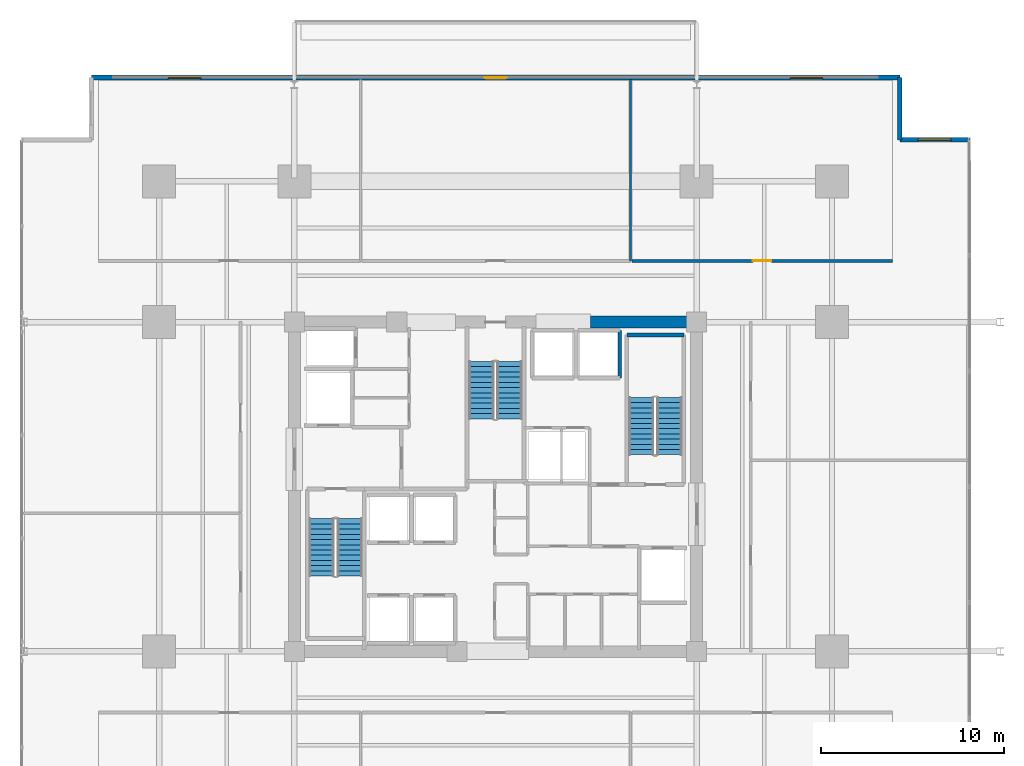
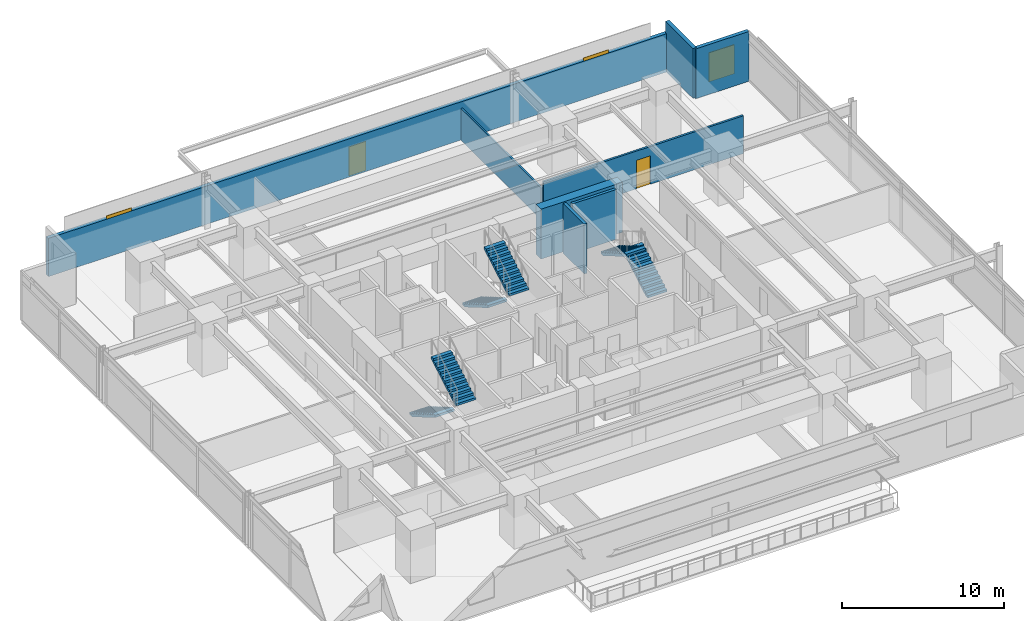
# One storey, part 18 of 23: 8 walls, 6 stair flights, 3 windows, 2 doors, 5 openings, 3 elements without a shape of their own.
"""IFC4 building model written with IfcOpenShell, lengths in metres."""

from ifc_helpers import new_model, si_unit, direction, frame, frame_2d, origin, place, context, subcontext, project, spatial, polyline, rectangle, outline, extrude, material, layer, layer_set, type_object, element, fill, aggregate, save


model = new_model("IFC4")

# Units and contexts
model_context = context("Model", 3, precision=1e-05, world=origin(), true_north=direction((0.0, 1.0)))
body_context = subcontext(model_context, "Body", "Model", "MODEL_VIEW")
ifc_project = project(units=[si_unit("LENGTHUNIT", "METRE"), si_unit("AREAUNIT", "SQUARE_METRE"), si_unit("VOLUMEUNIT", "CUBIC_METRE"), si_unit("PLANEANGLEUNIT", "RADIAN"), si_unit("MASSUNIT", "GRAM", prefix="KILO")], contexts=[model_context])

# Site, building, storey
site_placement = place(None, origin())
site = spatial("IfcSite", under=ifc_project, at=site_placement, CompositionType="ELEMENT")
building_placement = place(site_placement, origin())
building = spatial("IfcBuilding", under=site, at=building_placement, Name="Kovane Verandah Tower", CompositionType="ELEMENT")
storey_placement = place(building_placement, frame((0.0, 0.0, 63.60009765625)))
storey = spatial("IfcBuildingStorey", under=building, at=storey_placement, Name="L14", CompositionType="ELEMENT", Elevation=63.60009765625)

# Wall, opening, door
ifc_material_1 = material(Name="Fire-Rated Gypsum Stud Partition", Category="gypsum")
ifc_layer_1 = layer(ifc_material_1, 0.14990234375)
ifc_layer_set_1 = layer_set([ifc_layer_1], Name="Fire-Rated Gypsum Stud Partition")
wall_type_1 = type_object("IfcWallType", Name="WL-COR-150", PredefinedType="PARTITIONING", material=ifc_layer_set_1)
wall_1_placement = place(storey_placement, frame((47.450439453125, 39.85009765625, 0.0), z_axis=(0.0, 0.0, 1.0), x_axis=(1.0, 0.0, 0.0)))
wall_1 = element("IfcWall", 1, at=wall_1_placement, inside=storey, type_object=wall_type_1, Name="L14 Breakout Pantry N3 Corridor Partition", PredefinedType="PARTITIONING", context=body_context, shape_type="SweptSolid", body=[
    extrude(rectangle(XDim=14.256591796875, YDim=0.14990234375, at=frame_2d((7.12841796875, 0.0))), origin(), (0.0, 0.0, 1.0), 2.849853515625),
])
opening_1_placement = place(wall_1_placement, frame((6.62841796875, 0.0, 0.0)))
opening_1 = element("IfcOpeningElement", 2, at=opening_1_placement, cuts=wall_1, Name="Opening DR-L14-023", PredefinedType="OPENING", context=body_context, shape_type="SweptSolid", body=[
    extrude(rectangle(XDim=1.0, YDim=2.14990234375, at=frame_2d((0.5, 1.074951171875))), frame((0.0, 0.074951171875, 0.0), z_axis=(0.0, -1.0, 0.0), x_axis=(1.0, 0.0, 0.0)), (0.0, 0.0, 1.0), 0.14990234375),
])
ifc_material_2 = material(Name="FSC Spotted-Gum Timber Fire-Rated Office Door", Category="wood")
door_type_1 = type_object("IfcDoorType", Name="DR-OFF-1000", OperationType="SINGLE_SWING_LEFT", PredefinedType="DOOR", material=ifc_material_2)
door_1_placement = place(opening_1_placement, origin())
door_1 = element("IfcDoor", 3, at=door_1_placement, inside=storey, type_object=door_type_1, Name="L14 Breakout Pantry N3 Entrance Door", OperationType="SINGLE_SWING_LEFT", OverallHeight=2.14990234375, OverallWidth=1.0, PredefinedType="DOOR", context=body_context, shape_type="SweptSolid", body=[
    extrude(rectangle(XDim=1.0, YDim=2.14990234375, at=frame_2d((0.5, 1.074951171875))), frame((0.0, 0.02490234375, 0.0), z_axis=(0.0, -1.0, 0.0), x_axis=(1.0, 0.0, 0.0)), (0.0, 0.0, 1.0), 0.050048828125),
])
fill(opening_1, door_1)

# Walls
ifc_material_3 = material(Name="Concrete C80/95", Category="concrete")
ifc_layer_2 = layer(ifc_material_3, 0.64990234375)
ifc_layer_set_2 = layer_set([ifc_layer_2], Name="Concrete C80/95")
wall_type_2 = type_object("IfcWallType", Name="WL-CORE-650", PredefinedType="SHEAR", material=ifc_layer_set_2)
wall_2_placement = place(storey_placement, frame((45.199951171875, 36.5, 0.0), z_axis=(0.0, 0.0, 1.0), x_axis=(1.0, 0.0, 0.0)))
element("IfcWall", 4, at=wall_2_placement, inside=storey, type_object=wall_type_2, Name="L14 Core Shear Wall CN-3", PredefinedType="SHEAR", context=body_context, shape_type="SweptSolid", body=[
    extrude(rectangle(XDim=5.800048828125, YDim=0.64990234375, at=frame_2d((2.89990234375, 0.0))), origin(), (0.0, 0.0, 1.0), 3.760009765625),
])
ifc_material_4 = material(Name="Concrete C45/55 Lift Shaft Wall", Category="concrete")
ifc_layer_3 = layer(ifc_material_4, 0.199951171875)
ifc_layer_set_3 = layer_set([ifc_layer_3], Name="Concrete C45/55 Lift Shaft Wall")
wall_type_3 = type_object("IfcWallType", Name="WL-LIFT-200", PredefinedType="SOLIDWALL", material=ifc_layer_set_3)
wall_3_placement = place(storey_placement, frame((46.800048828125, 33.449951171875, 0.0), z_axis=(0.0, 0.0, 1.0), x_axis=(0.0, 1.0, 0.0)))
element("IfcWall", 5, at=wall_3_placement, inside=storey, type_object=wall_type_3, Name="L14 Lift OL-01 E Shaft Wall", PredefinedType="SOLIDWALL", context=body_context, shape_type="SweptSolid", body=[
    extrude(rectangle(XDim=2.60009765625, YDim=0.199951171875, at=frame_2d((1.300048828125, 0.0))), origin(), (0.0, 0.0, 1.0), 3.760009765625),
])
ifc_material_5 = material(Name="Acoustic Fire-Rated Gypsum Partition", Category="gypsum")
ifc_layer_4 = layer(ifc_material_5, 0.1201171875)
ifc_layer_set_4 = layer_set([ifc_layer_4], Name="Acoustic Fire-Rated Gypsum Partition")
wall_type_4 = type_object("IfcWallType", Name="WL-PART-120", PredefinedType="PARTITIONING", material=ifc_layer_set_4)
wall_4_placement = place(storey_placement, frame((47.38037109375, 39.85009765625, 0.0), z_axis=(0.0, 0.0, 1.0), x_axis=(0.0, 1.0, 0.0)))
element("IfcWall", 6, at=wall_4_placement, inside=storey, type_object=wall_type_4, Name="L14 Focus Studio N2 Dividing Partition", PredefinedType="PARTITIONING", context=body_context, shape_type="SweptSolid", body=[
    extrude(rectangle(XDim=9.9248046875, YDim=0.1201171875, at=frame_2d((4.96240234375, 0.0))), origin(), (0.0, 0.0, 1.0), 2.389892578125),
])
ifc_material_6 = material(Name="Concrete C45/55", Category="concrete")
ifc_layer_5 = layer(ifc_material_6, 0.199951171875)
ifc_layer_set_5 = layer_set([ifc_layer_5], Name="Concrete C45/55")
wall_type_5 = type_object("IfcWallType", Name="WL-SHAFT-200", PredefinedType="SOLIDWALL", material=ifc_layer_set_5)
wall_5_placement = place(storey_placement, frame((47.179931640625, 35.800048828125, 0.0), z_axis=(0.0, 0.0, 1.0), x_axis=(1.0, 0.0, 0.0)))
element("IfcWall", 7, at=wall_5_placement, inside=storey, type_object=wall_type_5, Name="W-L14-ST02-N", PredefinedType="SOLIDWALL", context=body_context, shape_type="SweptSolid", body=[
    extrude(rectangle(XDim=3.1201171875, YDim=0.199951171875, at=frame_2d((1.56005859375, 0.0))), origin(), (0.0, 0.0, 1.0), 3.760009765625),
])

# Wall, openings, door, windows
ifc_material_7 = material(Name="Concrete C45/55 Insulated Spandrel Wall", Category="concrete")
ifc_layer_6 = layer(ifc_material_7, 0.260009765625)
ifc_layer_set_6 = layer_set([ifc_layer_6], Name="Concrete C45/55 Insulated Spandrel Wall")
wall_type_6 = type_object("IfcWallType", Name="WL-SPANDREL-260", PredefinedType="PARAPET", material=ifc_layer_set_6)
wall_6_placement = place(storey_placement, frame((62.107177734375, 49.875, 0.0), z_axis=(0.0, 0.0, 1.0), x_axis=(-1.0, 0.0, 0.0)))
wall_6 = element("IfcWall", 8, at=wall_6_placement, inside=storey, type_object=wall_type_6, Name="L14 N Verandah Access Facade Wall", PredefinedType="PARAPET", context=body_context, shape_type="SweptSolid", body=[
    extrude(rectangle(XDim=44.21435546875, YDim=0.260009765625, at=frame_2d((22.107177734375, 0.0))), origin(), (0.0, 0.0, 1.0), 2.88916015625),
])
opening_2_placement = place(wall_6_placement, frame((4.199951171875, 0.0, 0.85009765625)))
opening_2 = element("IfcOpeningElement", 9, at=opening_2_placement, cuts=wall_6, Name="Opening W-03", PredefinedType="OPENING", context=body_context, shape_type="SweptSolid", body=[
    extrude(rectangle(XDim=1.800048828125, YDim=2.199951171875, at=frame_2d((0.89990234375, 1.10009765625))), frame((0.0, 0.1298828125, 0.0), z_axis=(0.0, -1.0, 0.0), x_axis=(1.0, 0.0, 0.0)), (0.0, 0.0, 1.0), 0.260009765625),
])
opening_3_placement = place(wall_6_placement, frame((21.507080078125, 0.0, 0.0)))
opening_3 = element("IfcOpeningElement", 10, at=opening_3_placement, cuts=wall_6, Name="Opening DR-L14-001", PredefinedType="OPENING", context=body_context, shape_type="SweptSolid", body=[
    extrude(rectangle(XDim=1.199951171875, YDim=2.199951171875, at=frame_2d((0.60009765625, 1.10009765625))), frame((0.0, 0.1298828125, 0.0), z_axis=(0.0, -1.0, 0.0), x_axis=(1.0, 0.0, 0.0)), (0.0, 0.0, 1.0), 0.260009765625),
])
opening_4_placement = place(wall_6_placement, frame((38.214111328125, 0.0, 0.85009765625)))
opening_4 = element("IfcOpeningElement", 11, at=opening_4_placement, cuts=wall_6, Name="Opening W-03", PredefinedType="OPENING", context=body_context, shape_type="SweptSolid", body=[
    extrude(rectangle(XDim=1.800048828125, YDim=2.199951171875, at=frame_2d((0.89990234375, 1.10009765625))), frame((0.0, 0.1298828125, 0.0), z_axis=(0.0, -1.0, 0.0), x_axis=(1.0, 0.0, 0.0)), (0.0, 0.0, 1.0), 0.260009765625),
])
ifc_material_8 = material(Name="Cyclone-Rated Glazed Balcony Leaf Door", Category="aluminium")
door_type_2 = type_object("IfcDoorType", Name="DR-BAL-1200x2200", OperationType="SINGLE_SWING_LEFT", PredefinedType="DOOR", material=ifc_material_8)
door_2_placement = place(opening_3_placement, origin())
door_2 = element("IfcDoor", 12, at=door_2_placement, inside=storey, type_object=door_type_2, Name="L14 N Planted Balcony Access Door", OperationType="SINGLE_SWING_LEFT", OverallHeight=2.199951171875, OverallWidth=1.199951171875, PredefinedType="DOOR", context=body_context, shape_type="SweptSolid", body=[
    extrude(rectangle(XDim=1.199951171875, YDim=2.199951171875, at=frame_2d((0.60009765625, 1.10009765625))), frame((0.0, 0.02490234375, 0.0), z_axis=(0.0, -1.0, 0.0), x_axis=(1.0, 0.0, 0.0)), (0.0, 0.0, 1.0), 0.050048828125),
])
fill(opening_3, door_2)
ifc_material_9 = material(Name="Clear Low-E Laminated Double Glazing in Anodised Frame", Category="glass")
window_type = type_object("IfcWindowType", Name="WN-NOTCH-1800x2200", PartitioningType="SINGLE_PANEL", PredefinedType="WINDOW", material=ifc_material_9)
window_1_placement = place(opening_2_placement, origin())
window_1 = element("IfcWindow", 13, at=window_1_placement, inside=storey, type_object=window_type, Name="L14 N Verandah View Window 1", OverallHeight=2.199951171875, OverallWidth=1.800048828125, PartitioningType="SINGLE_PANEL", PredefinedType="WINDOW", context=body_context, shape_type="SweptSolid", body=[
    extrude(rectangle(XDim=1.800048828125, YDim=2.199951171875, at=frame_2d((0.89990234375, 1.10009765625))), frame((0.0, 0.030029296875, 0.0), z_axis=(0.0, -1.0, 0.0), x_axis=(1.0, 0.0, 0.0)), (0.0, 0.0, 1.0), 0.06005859375),
])
fill(opening_2, window_1)
window_2_placement = place(opening_4_placement, origin())
window_2 = element("IfcWindow", 14, at=window_2_placement, inside=storey, type_object=window_type, Name="L14 N Verandah View Window 2", OverallHeight=2.199951171875, OverallWidth=1.800048828125, PartitioningType="SINGLE_PANEL", PredefinedType="WINDOW", context=body_context, shape_type="SweptSolid", body=[
    extrude(rectangle(XDim=1.800048828125, YDim=2.199951171875, at=frame_2d((0.89990234375, 1.10009765625))), frame((0.0, 0.030029296875, 0.0), z_axis=(0.0, -1.0, 0.0), x_axis=(1.0, 0.0, 0.0)), (0.0, 0.0, 1.0), 0.06005859375),
])
fill(opening_4, window_2)

# Wall, opening, window
wall_7_placement = place(storey_placement, frame((65.906982421875, 46.47509765625, 0.0), z_axis=(0.0, 0.0, 1.0), x_axis=(-1.0, 0.0, 0.0)))
wall_7 = element("IfcWall", 15, at=wall_7_placement, inside=storey, type_object=wall_type_6, Name="L14 NE Notch Cheek Wall 1", PredefinedType="PARAPET", context=body_context, shape_type="SweptSolid", body=[
    extrude(rectangle(XDim=3.7998046875, YDim=0.260009765625, at=frame_2d((1.89990234375, 0.0))), origin(), (0.0, 0.0, 1.0), 3.760009765625),
])
opening_5_placement = place(wall_7_placement, frame((1.0, 0.0, 0.85009765625)))
opening_5 = element("IfcOpeningElement", 16, at=opening_5_placement, cuts=wall_7, Name="Opening W-03", PredefinedType="OPENING", context=body_context, shape_type="SweptSolid", body=[
    extrude(rectangle(XDim=1.800048828125, YDim=2.199951171875, at=frame_2d((0.89990234375, 1.10009765625))), frame((0.0, 0.1298828125, 0.0), z_axis=(0.0, -1.0, 0.0), x_axis=(1.0, 0.0, 0.0)), (0.0, 0.0, 1.0), 0.260009765625),
])
window_3_placement = place(opening_5_placement, origin())
window_3 = element("IfcWindow", 17, at=window_3_placement, inside=storey, type_object=window_type, Name="L14 NE Re-Entrant Corner Operable Window", OverallHeight=2.199951171875, OverallWidth=1.800048828125, PartitioningType="SINGLE_PANEL", PredefinedType="WINDOW", context=body_context, shape_type="SweptSolid", body=[
    extrude(rectangle(XDim=1.800048828125, YDim=2.199951171875, at=frame_2d((0.89990234375, 1.10009765625))), frame((0.0, 0.030029296875, 0.0), z_axis=(0.0, -1.0, 0.0), x_axis=(1.0, 0.0, 0.0)), (0.0, 0.0, 1.0), 0.06005859375),
])
fill(opening_5, window_3)

# Wall
wall_8_placement = place(storey_placement, frame((62.107177734375, 46.47509765625, 0.0), z_axis=(0.0, 0.0, 1.0), x_axis=(0.0, 1.0, 0.0)))
element("IfcWall", 18, at=wall_8_placement, inside=storey, type_object=wall_type_6, Name="L14 NE Notch Cheek Wall 2", PredefinedType="PARAPET", context=body_context, shape_type="SweptSolid", body=[
    extrude(rectangle(XDim=3.39990234375, YDim=0.260009765625, at=frame_2d((1.699951171875, 0.0))), origin(), (0.0, 0.0, 1.0), 3.760009765625),
])

# Stair, stair flights
stair_type = type_object("IfcStairType", Name="ST-CORE-1380", PredefinedType="HALF_TURN_STAIR", material=ifc_material_6)
stair_1_placement = place(storey_placement, origin())
stair_1 = element("IfcStair", 19, at=stair_1_placement, inside=storey, type_object=stair_type, Name="L14 Exit Stair ST-01", PredefinedType="HALF_TURN_STAIR")
stair_flight_type = type_object("IfcStairFlightType", Name="STF-CORE-1380", PredefinedType="STRAIGHT", material=ifc_material_6)
stair_flight_1_placement = place(storey_placement, frame((30.489990234375, 25.75, 0.0), z_axis=(0.0, 0.0, 1.0), x_axis=(0.0, -1.0, 0.0)))
stair_flight_1 = element("IfcStairFlight", 20, at=stair_flight_1_placement, type_object=stair_flight_type, Name="ST-01 flight 1", NumberOfRisers=12, NumberOfTreads=11, PredefinedType="STRAIGHT", RiserHeight=0.166666667, TreadLength=0.285, context=body_context, shape_type="SweptSolid", body=[
    extrude(outline(polyline([(0.0, 0.0), (0.0, 0.166748046875), (0.284912109375, 0.166748046875), (0.284912109375, 0.333251953125), (0.570068359375, 0.333251953125), (0.570068359375, 0.5), (0.85498046875, 0.5), (0.85498046875, 0.666748046875), (1.139892578125, 0.666748046875), (1.139892578125, 0.833251953125), (1.425048828125, 0.833251953125), (1.425048828125, 1.0), (1.7099609375, 1.0), (1.7099609375, 1.166748046875), (1.9951171875, 1.166748046875), (1.9951171875, 1.333251953125), (2.280029296875, 1.333251953125), (2.280029296875, 1.5), (2.56494140625, 1.5), (2.56494140625, 1.666748046875), (2.85009765625, 1.666748046875), (2.85009765625, 1.833251953125), (3.135009765625, 1.833251953125), (3.135009765625, 2.0), (3.135009765625, 1.65966796875), (0.296875, 0.0), (0.0, 0.0)])), frame((0.0, 0.68994140625, 0.0), z_axis=(0.0, -1.0, 0.0), x_axis=(1.0, 0.0, 0.0)), (0.0, 0.0, 1.0), 1.3798828125),
])
stair_flight_2_placement = place(storey_placement, frame((32.030029296875, 22.614990234375, 2.0), z_axis=(0.0, 0.0, 1.0), x_axis=(0.0, 1.0, 0.0)))
stair_flight_2 = element("IfcStairFlight", 21, at=stair_flight_2_placement, type_object=stair_flight_type, Name="ST-01 flight 2", NumberOfRisers=12, NumberOfTreads=11, PredefinedType="STRAIGHT", RiserHeight=0.166666667, TreadLength=0.285, context=body_context, shape_type="SweptSolid", body=[
    extrude(outline(polyline([(0.0, 0.0), (0.0, 0.166748046875), (0.284912109375, 0.166748046875), (0.284912109375, 0.333251953125), (0.570068359375, 0.333251953125), (0.570068359375, 0.5), (0.85498046875, 0.5), (0.85498046875, 0.666748046875), (1.139892578125, 0.666748046875), (1.139892578125, 0.833251953125), (1.425048828125, 0.833251953125), (1.425048828125, 1.0), (1.7099609375, 1.0), (1.7099609375, 1.166748046875), (1.9951171875, 1.166748046875), (1.9951171875, 1.333251953125), (2.280029296875, 1.333251953125), (2.280029296875, 1.5), (2.56494140625, 1.5), (2.56494140625, 1.666748046875), (2.85009765625, 1.666748046875), (2.85009765625, 1.833251953125), (3.135009765625, 1.833251953125), (3.135009765625, 2.0), (3.135009765625, 1.65966796875), (0.296875, 0.0), (0.0, 0.0)])), frame((0.0, 0.68994140625, 0.0), z_axis=(0.0, -1.0, 0.0), x_axis=(1.0, 0.0, 0.0)), (0.0, 0.0, 1.0), 1.3798828125),
])
aggregate(stair_1, [stair_flight_1, stair_flight_2])

stair_2_placement = place(storey_placement, origin())
stair_2 = element("IfcStair", 22, at=stair_2_placement, inside=storey, type_object=stair_type, Name="L14 Exit Stair ST-02", PredefinedType="HALF_TURN_STAIR")
stair_flight_3_placement = place(storey_placement, frame((49.510009765625, 29.25, 0.0), z_axis=(0.0, 0.0, 1.0), x_axis=(0.0, 1.0, 0.0)))
stair_flight_3 = element("IfcStairFlight", 23, at=stair_flight_3_placement, type_object=stair_flight_type, Name="ST-02 flight 1", NumberOfRisers=12, NumberOfTreads=11, PredefinedType="STRAIGHT", RiserHeight=0.166666667, TreadLength=0.285, context=body_context, shape_type="SweptSolid", body=[
    extrude(outline(polyline([(0.0, 0.0), (0.0, 0.166748046875), (0.284912109375, 0.166748046875), (0.284912109375, 0.333251953125), (0.570068359375, 0.333251953125), (0.570068359375, 0.5), (0.85498046875, 0.5), (0.85498046875, 0.666748046875), (1.139892578125, 0.666748046875), (1.139892578125, 0.833251953125), (1.425048828125, 0.833251953125), (1.425048828125, 1.0), (1.7099609375, 1.0), (1.7099609375, 1.166748046875), (1.9951171875, 1.166748046875), (1.9951171875, 1.333251953125), (2.280029296875, 1.333251953125), (2.280029296875, 1.5), (2.56494140625, 1.5), (2.56494140625, 1.666748046875), (2.85009765625, 1.666748046875), (2.85009765625, 1.833251953125), (3.135009765625, 1.833251953125), (3.135009765625, 2.0), (3.135009765625, 1.65966796875), (0.296875, 0.0), (0.0, 0.0)])), frame((0.0, 0.68994140625, 0.0), z_axis=(0.0, -1.0, 0.0), x_axis=(1.0, 0.0, 0.0)), (0.0, 0.0, 1.0), 1.3798828125),
])
stair_flight_4_placement = place(storey_placement, frame((47.969970703125, 32.385009765625, 2.0), z_axis=(0.0, 0.0, 1.0), x_axis=(0.0, -1.0, 0.0)))
stair_flight_4 = element("IfcStairFlight", 24, at=stair_flight_4_placement, type_object=stair_flight_type, Name="ST-02 flight 2", NumberOfRisers=12, NumberOfTreads=11, PredefinedType="STRAIGHT", RiserHeight=0.166666667, TreadLength=0.285, context=body_context, shape_type="SweptSolid", body=[
    extrude(outline(polyline([(0.0, 0.0), (0.0, 0.166748046875), (0.284912109375, 0.166748046875), (0.284912109375, 0.333251953125), (0.570068359375, 0.333251953125), (0.570068359375, 0.5), (0.85498046875, 0.5), (0.85498046875, 0.666748046875), (1.139892578125, 0.666748046875), (1.139892578125, 0.833251953125), (1.425048828125, 0.833251953125), (1.425048828125, 1.0), (1.7099609375, 1.0), (1.7099609375, 1.166748046875), (1.9951171875, 1.166748046875), (1.9951171875, 1.333251953125), (2.280029296875, 1.333251953125), (2.280029296875, 1.5), (2.56494140625, 1.5), (2.56494140625, 1.666748046875), (2.85009765625, 1.666748046875), (2.85009765625, 1.833251953125), (3.135009765625, 1.833251953125), (3.135009765625, 2.0), (3.135009765625, 1.65966796875), (0.296875, 0.0), (0.0, 0.0)])), frame((0.0, 0.68994140625, 0.0), z_axis=(0.0, -1.0, 0.0), x_axis=(1.0, 0.0, 0.0)), (0.0, 0.0, 1.0), 1.3798828125),
])
aggregate(stair_2, [stair_flight_3, stair_flight_4])

stair_3_placement = place(storey_placement, origin())
stair_3 = element("IfcStair", 25, at=stair_3_placement, inside=storey, type_object=stair_type, Name="L14 Exit Stair ST-03", PredefinedType="HALF_TURN_STAIR")
stair_flight_5_placement = place(storey_placement, frame((39.22998046875, 34.35009765625, 0.0), z_axis=(0.0, 0.0, 1.0), x_axis=(0.0, -1.0, 0.0)))
stair_flight_5 = element("IfcStairFlight", 26, at=stair_flight_5_placement, type_object=stair_flight_type, Name="ST-03 flight 1", NumberOfRisers=12, NumberOfTreads=11, PredefinedType="STRAIGHT", RiserHeight=0.166666667, TreadLength=0.285, context=body_context, shape_type="SweptSolid", body=[
    extrude(outline(polyline([(0.0, 0.0), (0.0, 0.166748046875), (0.284912109375, 0.166748046875), (0.284912109375, 0.333251953125), (0.570068359375, 0.333251953125), (0.570068359375, 0.5), (0.85498046875, 0.5), (0.85498046875, 0.666748046875), (1.139892578125, 0.666748046875), (1.139892578125, 0.833251953125), (1.425048828125, 0.833251953125), (1.425048828125, 1.0), (1.7099609375, 1.0), (1.7099609375, 1.166748046875), (1.9951171875, 1.166748046875), (1.9951171875, 1.333251953125), (2.280029296875, 1.333251953125), (2.280029296875, 1.5), (2.56494140625, 1.5), (2.56494140625, 1.666748046875), (2.85009765625, 1.666748046875), (2.85009765625, 1.833251953125), (3.135009765625, 1.833251953125), (3.135009765625, 2.0), (3.135009765625, 1.65966796875), (0.296875, 0.0), (0.0, 0.0)])), frame((0.0, 0.68994140625, 0.0), z_axis=(0.0, -1.0, 0.0), x_axis=(1.0, 0.0, 0.0)), (0.0, 0.0, 1.0), 1.3798828125),
])
stair_flight_6_placement = place(storey_placement, frame((40.77001953125, 31.215087890625, 2.0), z_axis=(0.0, 0.0, 1.0), x_axis=(0.0, 1.0, 0.0)))
stair_flight_6 = element("IfcStairFlight", 27, at=stair_flight_6_placement, type_object=stair_flight_type, Name="ST-03 flight 2", NumberOfRisers=12, NumberOfTreads=11, PredefinedType="STRAIGHT", RiserHeight=0.166666667, TreadLength=0.285, context=body_context, shape_type="SweptSolid", body=[
    extrude(outline(polyline([(0.0, 0.0), (0.0, 0.166748046875), (0.284912109375, 0.166748046875), (0.284912109375, 0.333251953125), (0.570068359375, 0.333251953125), (0.570068359375, 0.5), (0.85498046875, 0.5), (0.85498046875, 0.666748046875), (1.139892578125, 0.666748046875), (1.139892578125, 0.833251953125), (1.425048828125, 0.833251953125), (1.425048828125, 1.0), (1.7099609375, 1.0), (1.7099609375, 1.166748046875), (1.9951171875, 1.166748046875), (1.9951171875, 1.333251953125), (2.280029296875, 1.333251953125), (2.280029296875, 1.5), (2.56494140625, 1.5), (2.56494140625, 1.666748046875), (2.85009765625, 1.666748046875), (2.85009765625, 1.833251953125), (3.135009765625, 1.833251953125), (3.135009765625, 2.0), (3.135009765625, 1.65966796875), (0.296875, 0.0), (0.0, 0.0)])), frame((0.0, 0.68994140625, 0.0), z_axis=(0.0, -1.0, 0.0), x_axis=(1.0, 0.0, 0.0)), (0.0, 0.0, 1.0), 1.3798828125),
])
aggregate(stair_3, [stair_flight_5, stair_flight_6])

save(model, "model.ifc")
